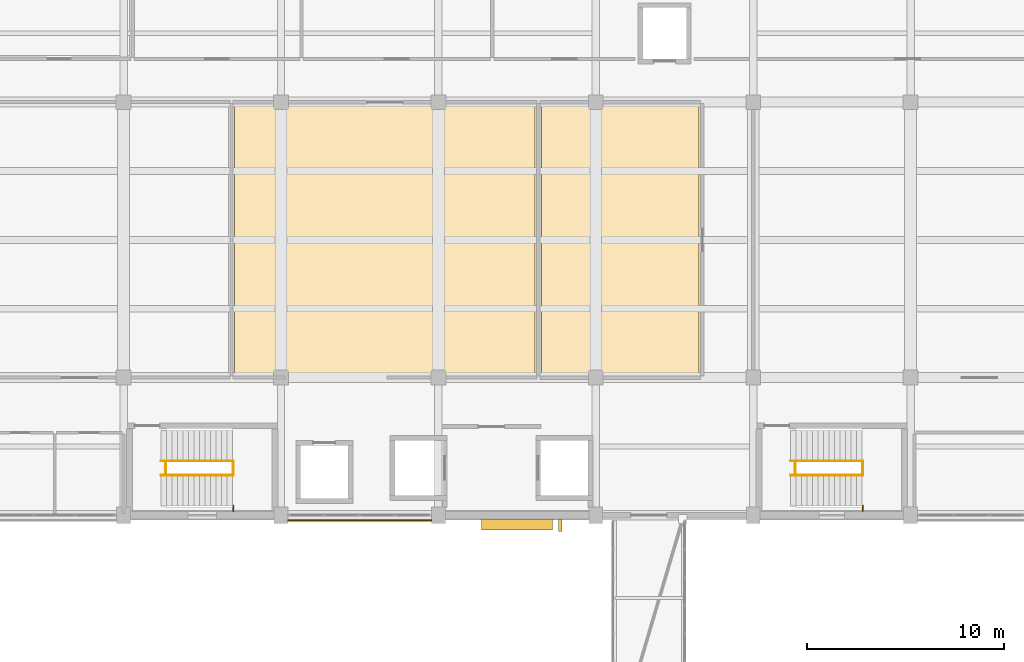
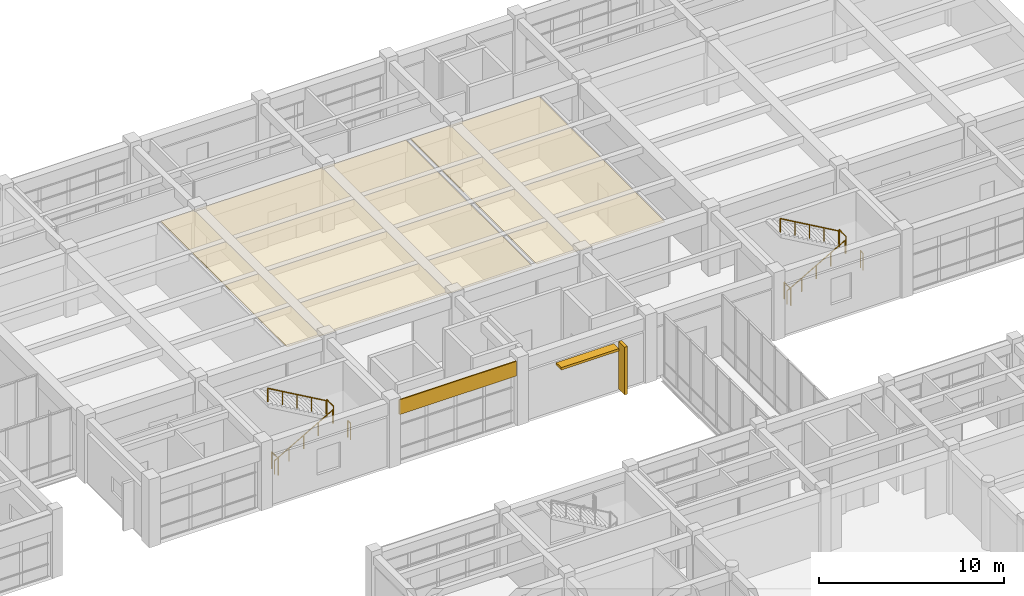
# One storey, part 67 of 72: 10 railings, 3 coverings, 2 shading devices.
"""IFC4 building model written with IfcOpenShell, lengths in metres."""

from ifc_helpers import new_model, si_unit, direction, frame, origin, origin_2d, place, context, subcontext, project, spatial, polyline, rectangle, circle, outline, extrude, material, layer, layer_set, type_object, element, save


model = new_model("IFC4")

# Units and contexts
model_context = context("Model", 3, precision=1e-05, world=origin(), true_north=direction((0.0, 1.0)))
body_context = subcontext(model_context, "Body", "Model", "MODEL_VIEW")
ifc_project = project(units=[si_unit("LENGTHUNIT", "METRE"), si_unit("AREAUNIT", "SQUARE_METRE"), si_unit("VOLUMEUNIT", "CUBIC_METRE"), si_unit("PLANEANGLEUNIT", "RADIAN"), si_unit("MASSUNIT", "GRAM", prefix="KILO")], contexts=[model_context])

# Site, building, storey
site_placement = place(None, origin())
site = spatial("IfcSite", under=ifc_project, at=site_placement, CompositionType="ELEMENT")
building_placement = place(site_placement, origin())
building = spatial("IfcBuilding", under=site, at=building_placement, Name="Naurynzar Civic Courthouse", CompositionType="ELEMENT")
storey_placement = place(building_placement, frame((0.0, 0.0, 9.89990234375)))
storey = spatial("IfcBuildingStorey", under=building, at=storey_placement, Name="L03", CompositionType="ELEMENT", Elevation=9.89990234375)

# Coverings
ifc_material_1 = material(Name="Acoustic Oak Timber Grade A", Category="wood")
ifc_layer_1 = layer(ifc_material_1, 0.044921875)
ifc_layer_set_1 = layer_set([ifc_layer_1], Name="CEIL-ACOUSTIC-OAK-45")
covering_type_1 = type_object("IfcCoveringType", Name="CEIL-ACOUSTIC-OAK-45", PredefinedType="CEILING", material=ifc_layer_set_1)
covering_1_placement = place(storey_placement, frame((0.0, 0.0, 4.114990234375)))
element("IfcCovering", 1, at=covering_1_placement, inside=storey, type_object=covering_type_1, Name="Acoustic suspended ceiling Civil Jury Courtroom 3B", PredefinedType="CEILING", context=body_context, shape_type="SweptSolid", body=[
    extrude(outline(polyline([(89.919921875, 51.159912109375), (74.639892578125, 51.159912109375), (74.639892578125, 64.840087890625), (89.919921875, 64.840087890625), (89.919921875, 51.159912109375)])), origin(), (0.0, 0.0, 1.0), 0.045166015625),
])
ifc_material_2 = material(Name="Mineral Fibre Acoustic Ceiling")
ifc_layer_2 = layer(ifc_material_2, 0.030029296875)
ifc_layer_set_2 = layer_set([ifc_layer_2], Name="CEIL-MINERAL-30")
covering_type_2 = type_object("IfcCoveringType", Name="CEIL-MINERAL-30", PredefinedType="CEILING", material=ifc_layer_set_2)
covering_2_placement = place(storey_placement, frame((0.0, 0.0, 4.114990234375)))
element("IfcCovering", 2, at=covering_2_placement, inside=storey, type_object=covering_type_2, Name="Acoustic suspended ceiling Jury Room 3B", PredefinedType="CEILING", context=body_context, shape_type="SweptSolid", body=[
    extrude(outline(polyline([(98.239990234375, 51.159912109375), (90.239990234375, 51.159912109375), (90.239990234375, 64.840087890625), (98.239990234375, 64.840087890625), (98.239990234375, 51.159912109375)])), origin(), (0.0, 0.0, 1.0), 0.030029296875),
])
ifc_material_3 = material(Name="Precast concrete C40/50", Category="concrete")
ifc_layer_3 = layer(ifc_material_3, 0.080078125)
ifc_layer_set_3 = layer_set([ifc_layer_3], Name="COV-CLAD-PRECAST-80")
covering_type_3 = type_object("IfcCoveringType", Name="COV-CLAD-PRECAST-80", PredefinedType="CLADDING", material=ifc_layer_set_3)
covering_3_placement = place(storey_placement, frame((81.0, 43.7451171875, 3.22998046875), z_axis=(0.0, 0.0, 1.0), x_axis=(-1.0, 0.0, 0.0)))
element("IfcCovering", 3, at=covering_3_placement, inside=storey, type_object=covering_type_3, Name="V2 precast spandrel cladding 29", PredefinedType="CLADDING", context=body_context, shape_type="SweptSolid", body=[
    extrude(rectangle(XDim=7.300048828125, YDim=0.080078125, at=origin_2d()), origin(), (0.0, 0.0, 1.0), 0.969970703125),
])

# Railings
ifc_material_4 = material(Name="Brushed Stainless Steel 304", Category="steel")
railing_type_1 = type_object("IfcRailingType", Name="RAIL-BAL-1100", PredefinedType="BALUSTRADE", material=ifc_material_4)
for number, where, name in (
    (4, (71.139892578125, 46.0400390625, 0.0), "Stair ST-V2A floor well slot guard L03"),
    (5, (74.580078125, 46.0400390625, 2.25), "Stair ST-V2A-L03 half-landing well guard"),
):
    element("IfcRailing", number, at=place(storey_placement, frame(where)), inside=storey, type_object=railing_type_1, Name=name, PredefinedType="BALUSTRADE", context=body_context, shape_type="SweptSolid", body=[
        extrude(circle(Radius=0.02392578125, at=origin_2d()), frame((0.0, 0.0, 1.09619140625), z_axis=(0.0, 1.0, 0.0), x_axis=(-1.0, 0.0, 0.0)), (0.0, 0.0, 1.0), 0.719970703125),
        extrude(circle(Radius=0.02099609375, at=origin_2d()), origin(), (0.0, 0.0, 1.0), 1.072021484375),
        extrude(circle(Radius=0.02099609375, at=origin_2d()), frame((0.0, 0.719970703125, 0.0)), (0.0, 0.0, 1.0), 1.072021484375),
    ])
railing_1_placement = place(storey_placement, frame((74.580078125, 44.195068359375, 2.25)))
element("IfcRailing", 6, at=railing_1_placement, inside=storey, type_object=railing_type_1, Name="Stair ST-V2A-L03 half-landing south slot guard", PredefinedType="BALUSTRADE", context=body_context, shape_type="SweptSolid", body=[
    extrude(circle(Radius=0.02392578125, at=origin_2d()), frame((0.0, 0.0, 1.09619140625), z_axis=(0.0, 1.0, 0.0), x_axis=(-1.0, 0.0, 0.0)), (0.0, 0.0, 1.0), 0.284912109375),
    extrude(circle(Radius=0.02099609375, at=origin_2d()), origin(), (0.0, 0.0, 1.0), 1.072021484375),
    extrude(circle(Radius=0.02099609375, at=origin_2d()), frame((0.0, 0.284912109375, 0.0)), (0.0, 0.0, 1.0), 1.072021484375),
])
for number, where, name in (
    (7, (103.139892578125, 46.0400390625, 0.0), "Stair ST-V2B floor well slot guard L03"),
    (8, (106.580078125, 46.0400390625, 2.25), "Stair ST-V2B-L03 half-landing well guard"),
):
    element("IfcRailing", number, at=place(storey_placement, frame(where)), inside=storey, type_object=railing_type_1, Name=name, PredefinedType="BALUSTRADE", context=body_context, shape_type="SweptSolid", body=[
        extrude(circle(Radius=0.02392578125, at=origin_2d()), frame((0.0, 0.0, 1.09619140625), z_axis=(0.0, 1.0, 0.0), x_axis=(-1.0, 0.0, 0.0)), (0.0, 0.0, 1.0), 0.719970703125),
        extrude(circle(Radius=0.02099609375, at=origin_2d()), origin(), (0.0, 0.0, 1.0), 1.072021484375),
        extrude(circle(Radius=0.02099609375, at=origin_2d()), frame((0.0, 0.719970703125, 0.0)), (0.0, 0.0, 1.0), 1.072021484375),
    ])
railing_2_placement = place(storey_placement, frame((106.580078125, 44.195068359375, 2.25)))
element("IfcRailing", 9, at=railing_2_placement, inside=storey, type_object=railing_type_1, Name="Stair ST-V2B-L03 half-landing south slot guard", PredefinedType="BALUSTRADE", context=body_context, shape_type="SweptSolid", body=[
    extrude(circle(Radius=0.02392578125, at=origin_2d()), frame((0.0, 0.0, 1.09619140625), z_axis=(0.0, 1.0, 0.0), x_axis=(-1.0, 0.0, 0.0)), (0.0, 0.0, 1.0), 0.284912109375),
    extrude(circle(Radius=0.02099609375, at=origin_2d()), origin(), (0.0, 0.0, 1.0), 1.072021484375),
    extrude(circle(Radius=0.02099609375, at=origin_2d()), frame((0.0, 0.284912109375, 0.0)), (0.0, 0.0, 1.0), 1.072021484375),
])
ifc_material_5 = material(Name="Brushed Stainless Steel 304", Category="steel")
railing_type_2 = type_object("IfcRailingType", Name="RAIL-HR-900", PredefinedType="HANDRAIL", material=ifc_material_5)
railing_3_placement = place(storey_placement, frame((70.89990234375, 46.0400390625, 0.160888671875)))
element("IfcRailing", 10, at=railing_3_placement, inside=storey, type_object=railing_type_2, Name="Stair ST-V2A-L03 flight 1 handrail", PredefinedType="HANDRAIL", context=body_context, shape_type="SweptSolid", body=[
    extrude(circle(Radius=0.02392578125, at=origin_2d()), frame((0.0, 0.0, 0.8759765625), z_axis=(0.867314486057, 0.0, 0.497760567216), x_axis=(0.0, 1.0, 0.0)), (0.0, 0.0, 1.0), 4.197021484375),
    extrude(circle(Radius=0.02099609375, at=origin_2d()), origin(), (0.0, 0.0, 1.0), 0.851806640625),
    extrude(circle(Radius=0.02099609375, at=origin_2d()), frame((0.91015625, 0.0, 0.522216796875)), (0.0, 0.0, 1.0), 0.851806640625),
    extrude(circle(Radius=0.02099609375, at=origin_2d()), frame((1.820068359375, 0.0, 1.04443359375)), (0.0, 0.0, 1.0), 0.851806640625),
    extrude(circle(Radius=0.02099609375, at=origin_2d()), frame((2.72998046875, 0.0, 1.56689453125)), (0.0, 0.0, 1.0), 0.851806640625),
    extrude(circle(Radius=0.02099609375, at=origin_2d()), frame((3.64013671875, 0.0, 2.089111328125)), (0.0, 0.0, 1.0), 0.851806640625),
])
railing_4_placement = place(storey_placement, frame((74.5400390625, 46.760009765625, 2.410888671875)))
element("IfcRailing", 11, at=railing_4_placement, inside=storey, type_object=railing_type_2, Name="Stair ST-V2A-L03 flight 2 handrail", PredefinedType="HANDRAIL", context=body_context, shape_type="SweptSolid", body=[
    extrude(circle(Radius=0.02392578125, at=origin_2d()), frame((0.0, 0.0, 0.8759765625), z_axis=(-0.867314486057, 0.0, 0.497760567216), x_axis=(0.0, -1.0, 0.0)), (0.0, 0.0, 1.0), 4.197021484375),
    extrude(circle(Radius=0.02099609375, at=origin_2d()), origin(), (0.0, 0.0, 1.0), 0.851806640625),
    extrude(circle(Radius=0.02099609375, at=origin_2d()), frame((-0.91015625, 0.0, 0.522216796875)), (0.0, 0.0, 1.0), 0.851806640625),
    extrude(circle(Radius=0.02099609375, at=origin_2d()), frame((-1.820068359375, 0.0, 1.04443359375)), (0.0, 0.0, 1.0), 0.851806640625),
    extrude(circle(Radius=0.02099609375, at=origin_2d()), frame((-2.72998046875, 0.0, 1.56689453125)), (0.0, 0.0, 1.0), 0.851806640625),
    extrude(circle(Radius=0.02099609375, at=origin_2d()), frame((-3.64013671875, 0.0, 2.089111328125)), (0.0, 0.0, 1.0), 0.851806640625),
])
railing_5_placement = place(storey_placement, frame((102.89990234375, 46.0400390625, 0.160888671875)))
element("IfcRailing", 12, at=railing_5_placement, inside=storey, type_object=railing_type_2, Name="Stair ST-V2B-L03 flight 1 handrail", PredefinedType="HANDRAIL", context=body_context, shape_type="SweptSolid", body=[
    extrude(circle(Radius=0.02392578125, at=origin_2d()), frame((0.0, 0.0, 0.8759765625), z_axis=(0.867314486057, 0.0, 0.497760567216), x_axis=(0.0, 1.0, 0.0)), (0.0, 0.0, 1.0), 4.197021484375),
    extrude(circle(Radius=0.02099609375, at=origin_2d()), origin(), (0.0, 0.0, 1.0), 0.851806640625),
    extrude(circle(Radius=0.02099609375, at=origin_2d()), frame((0.91015625, 0.0, 0.522216796875)), (0.0, 0.0, 1.0), 0.851806640625),
    extrude(circle(Radius=0.02099609375, at=origin_2d()), frame((1.820068359375, 0.0, 1.04443359375)), (0.0, 0.0, 1.0), 0.851806640625),
    extrude(circle(Radius=0.02099609375, at=origin_2d()), frame((2.72998046875, 0.0, 1.56689453125)), (0.0, 0.0, 1.0), 0.851806640625),
    extrude(circle(Radius=0.02099609375, at=origin_2d()), frame((3.64013671875, 0.0, 2.089111328125)), (0.0, 0.0, 1.0), 0.851806640625),
])
railing_6_placement = place(storey_placement, frame((106.5400390625, 46.760009765625, 2.410888671875)))
element("IfcRailing", 13, at=railing_6_placement, inside=storey, type_object=railing_type_2, Name="Stair ST-V2B-L03 flight 2 handrail", PredefinedType="HANDRAIL", context=body_context, shape_type="SweptSolid", body=[
    extrude(circle(Radius=0.02392578125, at=origin_2d()), frame((0.0, 0.0, 0.8759765625), z_axis=(-0.867314486057, 0.0, 0.497760567216), x_axis=(0.0, -1.0, 0.0)), (0.0, 0.0, 1.0), 4.197021484375),
    extrude(circle(Radius=0.02099609375, at=origin_2d()), origin(), (0.0, 0.0, 1.0), 0.851806640625),
    extrude(circle(Radius=0.02099609375, at=origin_2d()), frame((-0.91015625, 0.0, 0.522216796875)), (0.0, 0.0, 1.0), 0.851806640625),
    extrude(circle(Radius=0.02099609375, at=origin_2d()), frame((-1.820068359375, 0.0, 1.04443359375)), (0.0, 0.0, 1.0), 0.851806640625),
    extrude(circle(Radius=0.02099609375, at=origin_2d()), frame((-2.72998046875, 0.0, 1.56689453125)), (0.0, 0.0, 1.0), 0.851806640625),
    extrude(circle(Radius=0.02099609375, at=origin_2d()), frame((-3.64013671875, 0.0, 2.089111328125)), (0.0, 0.0, 1.0), 0.851806640625),
])

# Shading devices
ifc_material_6 = material(Name="Precast concrete C40/50", Category="concrete")
shading_device_type_1 = type_object("IfcShadingDeviceType", Name="SHD-FIN-V650", PredefinedType="JALOUSIE", material=ifc_material_6)
shading_device_1_placement = place(storey_placement, frame((91.18994140625, 43.489990234375, 0.0400390625), z_axis=(0.0, 0.0, 1.0), x_axis=(-1.0, 0.0, 0.0)))
element("IfcShadingDevice", 14, at=shading_device_1_placement, inside=storey, type_object=shading_device_type_1, Name="V2 vertical brise-soleil fin 17", PredefinedType="JALOUSIE", context=body_context, shape_type="SweptSolid", body=[
    extrude(rectangle(XDim=0.179931640625, YDim=0.64990234375, at=origin_2d()), origin(), (0.0, 0.0, 1.0), 3.14990234375),
])
ifc_material_7 = material(Name="Precast concrete C40/50", Category="concrete")
shading_device_type_2 = type_object("IfcShadingDeviceType", Name="SHD-LOUV-H550", PredefinedType="SHUTTER", material=ifc_material_7)
shading_device_2_placement = place(storey_placement, frame((89.0, 43.5400390625, 2.990234375), z_axis=(0.0, 0.0, 1.0), x_axis=(-1.0, 0.0, 0.0)))
element("IfcShadingDevice", 15, at=shading_device_2_placement, inside=storey, type_object=shading_device_type_2, Name="V2 horizontal solar sun-breaker 17", PredefinedType="SHUTTER", context=body_context, shape_type="SweptSolid", body=[
    extrude(rectangle(XDim=3.60009765625, YDim=0.550048828125, at=origin_2d()), origin(), (0.0, 0.0, 1.0), 0.159912109375),
])

save(model, "model.ifc")
